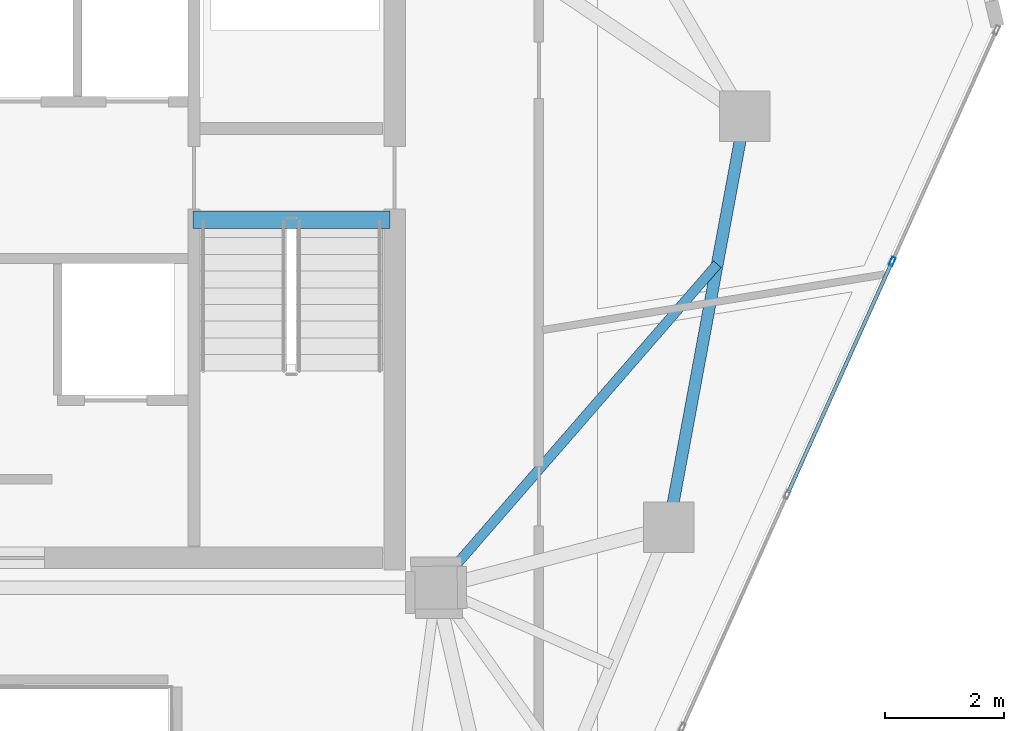
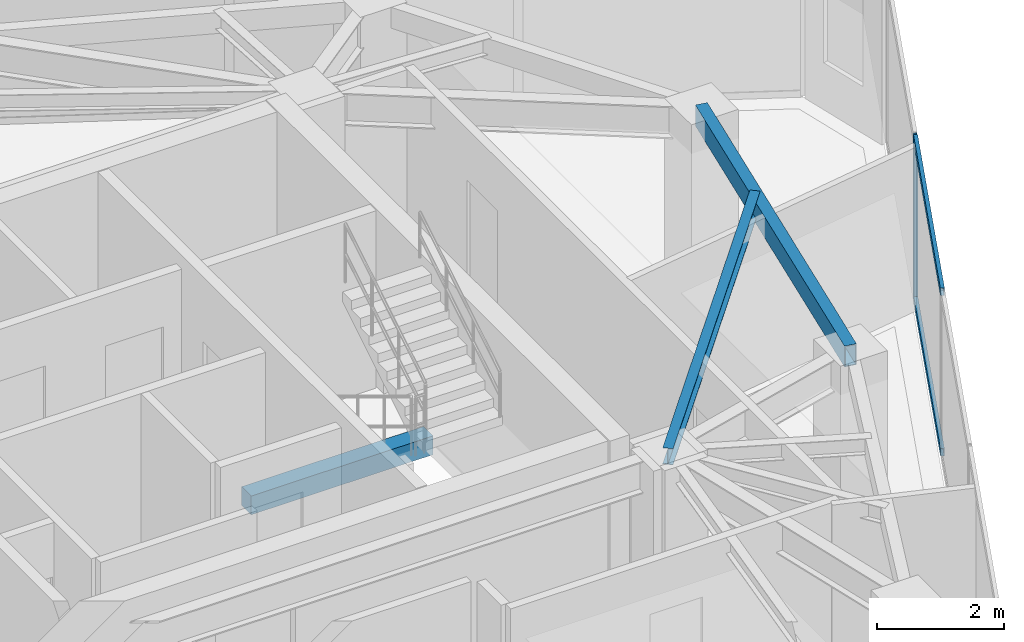
# One storey, part 12 of 20: 3 beams, 3 members, 1 element without a shape of its own.
"""IFC4 building model written with IfcOpenShell, lengths in metres."""

from ifc_helpers import new_model, si_unit, direction, frame, origin, origin_2d, place, context, subcontext, project, spatial, rectangle, hollow_rectangle, i_section, extrude, source, transform, mapped, material, layer, layer_set, material_profile, profile_set, type_object, type_shapes, element, aggregate, save


model = new_model("IFC4")

# Units and contexts
model_context = context("Model", 3, precision=1e-05, world=origin(), true_north=direction((0.0, 1.0)))
body_context = subcontext(model_context, "Body", "Model", "MODEL_VIEW")
ifc_project = project(units=[si_unit("LENGTHUNIT", "METRE"), si_unit("AREAUNIT", "SQUARE_METRE"), si_unit("VOLUMEUNIT", "CUBIC_METRE"), si_unit("PLANEANGLEUNIT", "RADIAN"), si_unit("MASSUNIT", "GRAM", prefix="KILO")], contexts=[model_context])

# Site, building, storey
site_placement = place(None, origin())
site = spatial("IfcSite", under=ifc_project, at=site_placement, CompositionType="ELEMENT")
building_placement = place(site_placement, origin())
building = spatial("IfcBuilding", under=site, at=building_placement, Name="Talar Marvaseh", CompositionType="ELEMENT")
storey_placement = place(building_placement, frame((0.0, 0.0, 278.199951171875)))
storey = spatial("IfcBuildingStorey", under=building, at=storey_placement, Name="L74", CompositionType="ELEMENT", Elevation=278.199951171875)

# Beams
ifc_material_1 = material(Name="Concrete C40/50", Category="concrete")
ifc_material_profile_1 = material_profile(ifc_material_1, rectangle(XDim=0.300048828125, YDim=0.360107421875, at=origin_2d()), Name="RC300x360")
ifc_profile_set_1 = profile_set([ifc_material_profile_1], Name="Concrete C40/50")
beam_type_1 = type_object("IfcBeamType", Name="Concrete Stair Landing Trimmer Beam RC300x360", PredefinedType="SPANDREL", material=ifc_profile_set_1)
beam_1_placement = place(storey_placement, frame((29.219970703125, 31.669921875, -0.179931640625), z_axis=(1.0, 0.0, 0.0), x_axis=(0.0, 1.0, 0.0)))
element("IfcBeam", 1, at=beam_1_placement, inside=storey, type_object=beam_type_1, Name="L74 ST-2 Stair Nosing Trimmer Beam", PredefinedType="SPANDREL", context=body_context, shape_type="SweptSolid", body=[
    extrude(rectangle(XDim=0.300048828125, YDim=0.360107421875, at=origin_2d()), origin(), (0.0, 0.0, 1.0), 3.300048828125),
])
ifc_material_2 = material(Name="Steel S355", Category="steel")
ifc_material_profile_2 = material_profile(ifc_material_2, hollow_rectangle(XDim=0.199951171875, YDim=0.39990234375, WallThickness=0.013916015625, at=origin_2d()), Name="RHS400x200x14")
ifc_profile_set_2 = profile_set([ifc_material_profile_2], Name="Steel S355")
beam_type_2 = type_object("IfcBeamType", Name="Zone 3 Perimeter Spandrel Beam RHS400x200x14", PredefinedType="SPANDREL", material=ifc_profile_set_2)
beam_2_placement = place(storey_placement, frame((38.470947265625, 33.406005859375, 2.93994140625), z_axis=(-0.181759950929, -0.983342931148, 0.0), x_axis=(0.983342931148, -0.181759950929, 0.0)))
element("IfcBeam", 2, at=beam_2_placement, inside=storey, type_object=beam_type_2, Name="L74 Zone 3 Perimeter Spandrel Beam RHS400x200x14", PredefinedType="SPANDREL", context=body_context, shape_type="SweptSolid", body=[
    extrude(hollow_rectangle(XDim=0.199951171875, YDim=0.39990234375, WallThickness=0.013916015625, at=origin_2d()), origin(), (0.0, 0.0, 1.0), 7.0087890625),
])
ifc_material_profile_3 = material_profile(ifc_material_2, i_section(OverallWidth=0.166015625, OverallDepth=0.31298828125, WebThickness=0.006591796875, FlangeThickness=0.01123046875, at=origin_2d()), Name="W310x45")
ifc_profile_set_3 = profile_set([ifc_material_profile_3], Name="Steel S355")
beam_type_3 = type_object("IfcBeamType", Name="Zone 3 Secondary Floor Joist W310x45", PredefinedType="JOIST", material=ifc_profile_set_3)
beam_3_placement = place(storey_placement, frame((38.012451171875, 30.9248046875, 2.983642578125), z_axis=(-0.655796743858, -0.754937501218, 0.0), x_axis=(0.754937501218, -0.655796743858, 0.0)))
element("IfcBeam", 3, at=beam_3_placement, inside=storey, type_object=beam_type_3, Name="L74 Zone 3 Secondary Floor Joist W310x45", PredefinedType="JOIST", context=body_context, shape_type="SweptSolid", body=[
    extrude(i_section(OverallWidth=0.166015625, OverallDepth=0.31298828125, WebThickness=0.006591796875, FlangeThickness=0.01123046875, at=origin_2d()), origin(), (0.0, 0.0, 1.0), 7.185791015625),
])

# Curtain wall, members
ifc_material_3 = material(Name="Architectural Aluminium", Category="aluminium")
ifc_layer = layer(ifc_material_3, 0.179931640625)
ifc_layer_set = layer_set([ifc_layer], Name="Architectural Aluminium")
curtain_wall_type = type_object("IfcCurtainWallType", Name="Unitised High-Wind Sky Curtain Wall Z4", PredefinedType="NOTDEFINED", material=ifc_layer_set)
curtain_wall_placement = place(storey_placement, origin())
curtain_wall = element("IfcCurtainWall", 4, at=curtain_wall_placement, inside=storey, type_object=curtain_wall_type, Name="L74 Unitised High-Wind Sky Curtain Wall Z4", PredefinedType="NOTDEFINED")
ifc_material_profile_4 = material_profile(ifc_material_3, hollow_rectangle(XDim=0.06494140625, YDim=0.14990234375, WallThickness=0.00390625, at=origin_2d()), Name="RHS150x65x4")
ifc_profile_set_4 = profile_set([ifc_material_profile_4], Name="Architectural Aluminium")
member_type_1 = type_object("IfcMemberType", Name="Unitised Curtain Wall Slim Transom RHS150x65x4", PredefinedType="USERDEFINED", material=ifc_profile_set_4)
shared_shape_1 = source(origin(), body_context, "Body", "SweptSolid", [
    extrude(hollow_rectangle(XDim=0.06494140625, YDim=0.14990234375, WallThickness=0.00390625, at=origin_2d()), origin(), (0.0, 0.0, 1.0), 4.221435546875),
])
type_shapes(member_type_1, [shared_shape_1])
member_1_placement = place(storey_placement, frame((40.932373046875, 30.94189453125, 0.032470703125), z_axis=(-0.410855187864, -0.911700616763, 0.0), x_axis=(0.911700616763, -0.410855187864, 0.0)))
member_1 = element("IfcMember", 5, at=member_1_placement, type_object=member_type_1, Name="CW-Z4 transom 2.1", ObjectType="TRANSOM", PredefinedType="USERDEFINED", context=body_context, shape_type="MappedRepresentation", body=[
    mapped(shared_shape_1, transform((0.0, 0.0, 0.0), x_axis=(1.0, 0.0, 0.0), y_axis=(0.0, 1.0, 0.0), z_axis=(0.0, 0.0, 1.0), scale=1.0)),
])
member_2_placement = place(storey_placement, frame((40.932373046875, 30.94189453125, 3.107666015625), z_axis=(-0.410855187864, -0.911700616763, 0.0), x_axis=(0.911700616763, -0.410855187864, 0.0)))
member_2 = element("IfcMember", 6, at=member_2_placement, type_object=member_type_1, Name="CW-Z4 transom 2.2", ObjectType="TRANSOM", PredefinedType="USERDEFINED", context=body_context, shape_type="MappedRepresentation", body=[
    mapped(shared_shape_1, transform((0.0, 0.0, 0.0), x_axis=(1.0, 0.0, 0.0), y_axis=(0.0, 1.0, 0.0), z_axis=(0.0, 0.0, 1.0), scale=1.0)),
])
ifc_material_profile_5 = material_profile(ifc_material_3, hollow_rectangle(XDim=0.06494140625, YDim=0.14990234375, WallThickness=0.00390625, at=origin_2d()), Name="RHS150x65x4")
ifc_profile_set_5 = profile_set([ifc_material_profile_5], Name="Architectural Aluminium")
member_type_2 = type_object("IfcMemberType", Name="Unitised Curtain Wall Slim Mullion RHS150x65x4", PredefinedType="MULLION", material=ifc_profile_set_5)
shared_shape_2 = source(origin(), body_context, "Body", "SweptSolid", [
    extrude(hollow_rectangle(XDim=0.06494140625, YDim=0.14990234375, WallThickness=0.00390625, at=origin_2d()), origin(), (0.0, 0.0, 1.0), 3.14013671875),
])
type_shapes(member_type_2, [shared_shape_2])
member_3_placement = place(storey_placement, frame((40.94580078125, 30.971435546875, 0.0), z_axis=(0.0, 0.0, 1.0), x_axis=(0.9116986288, -0.410859599187, 0.0)))
member_3 = element("IfcMember", 7, at=member_3_placement, type_object=member_type_2, Name="CW-Z4 mullion 2", PredefinedType="MULLION", context=body_context, shape_type="MappedRepresentation", body=[
    mapped(shared_shape_2, transform((0.0, 0.0, 0.0), x_axis=(1.0, 0.0, 0.0), y_axis=(0.0, 1.0, 0.0), z_axis=(0.0, 0.0, 1.0), scale=1.0)),
])
aggregate(curtain_wall, [member_3, member_1, member_2])

save(model, "model.ifc")
